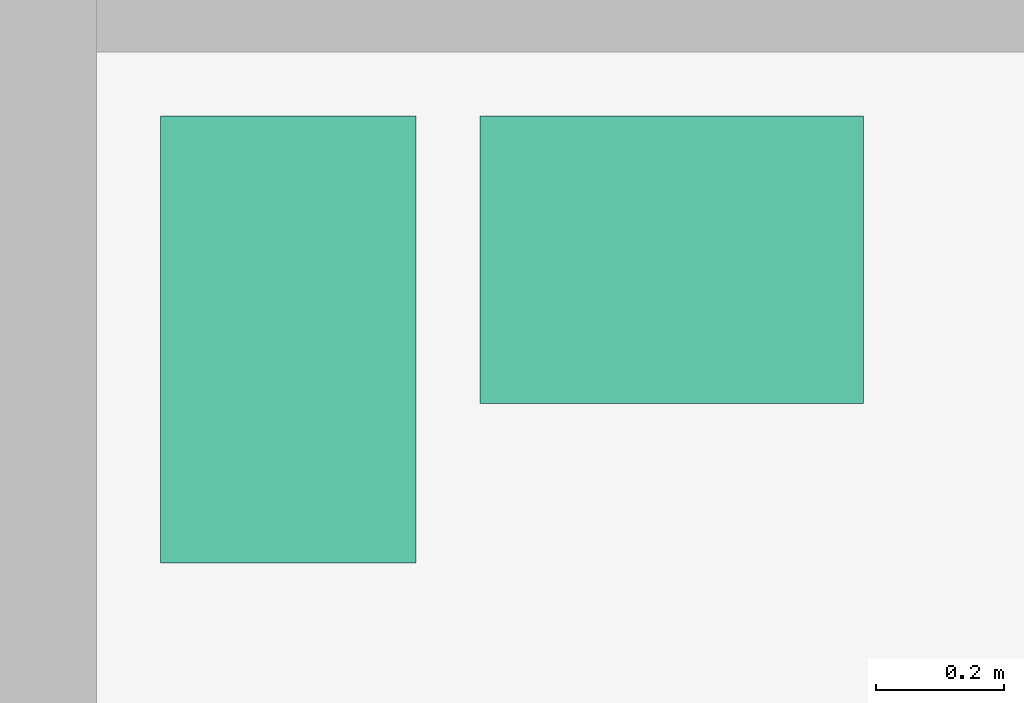
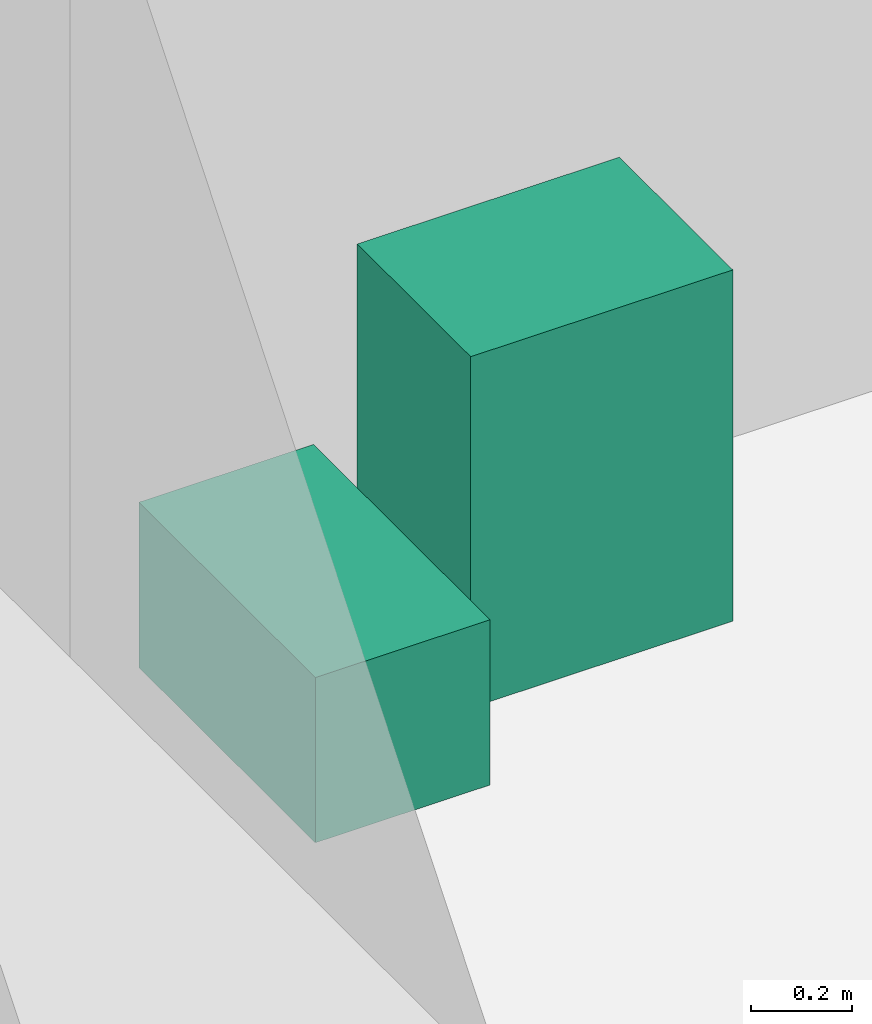
# One storey, part 14 of 14: 2 sanitary terminals.
"""IFC4 building model written with IfcOpenShell, lengths in metres."""

from ifc_helpers import new_model, si_unit, direction, frame, origin, origin_2d, place, context, subcontext, project, spatial, rectangle, extrude, element, save


model = new_model("IFC4")

# Units and contexts
model_context = context("Model", 3, precision=1e-05, world=origin(), true_north=direction((0.0, 1.0)))
body_context = subcontext(model_context, "Body", "Model", "MODEL_VIEW")
ifc_project = project(units=[si_unit("LENGTHUNIT", "METRE"), si_unit("AREAUNIT", "SQUARE_METRE"), si_unit("VOLUMEUNIT", "CUBIC_METRE"), si_unit("PLANEANGLEUNIT", "RADIAN"), si_unit("MASSUNIT", "GRAM", prefix="KILO")], contexts=[model_context])

# Site, building, storey
site_placement = place(None, origin())
site = spatial("IfcSite", under=ifc_project, at=site_placement, CompositionType="ELEMENT")
building_placement = place(site_placement, origin())
building = spatial("IfcBuilding", under=site, at=building_placement, Name="Hankou Lantern Tower", CompositionType="ELEMENT")
storey_placement = place(building_placement, frame((0.0, 0.0, 176.39990234375)))
storey = spatial("IfcBuildingStorey", under=building, at=storey_placement, Name="L47", CompositionType="ELEMENT", Elevation=176.39990234375)

# Sanitary terminals
sanitary_terminal_1_placement = place(storey_placement, frame((-11.300048828125, 3.64990234375, 0.000244140625), z_axis=(0.0, 0.0, 1.0), x_axis=(1.0, 0.0, 0.0)))
element("IfcSanitaryTerminal", 1, at=sanitary_terminal_1_placement, inside=storey, Name="Accessible staff WC WC pan 1", PredefinedType="TOILETPAN", context=body_context, shape_type="SweptSolid", body=[
    extrude(rectangle(XDim=0.39990234375, YDim=0.699951171875, at=origin_2d()), origin(), (0.0, 0.0, 1.0), 0.39990234375),
])
sanitary_terminal_2_placement = place(storey_placement, frame((-10.699951171875, 3.77490234375, 0.0), z_axis=(0.0, 0.0, 1.0), x_axis=(1.0, 0.0, 0.0)))
element("IfcSanitaryTerminal", 2, at=sanitary_terminal_2_placement, inside=storey, Name="Accessible staff WC wash basin 1", PredefinedType="WASHHANDBASIN", context=body_context, shape_type="SweptSolid", body=[
    extrude(rectangle(XDim=0.60009765625, YDim=0.449951171875, at=origin_2d()), origin(), (0.0, 0.0, 1.0), 0.85009765625),
])

save(model, "model.ifc")
